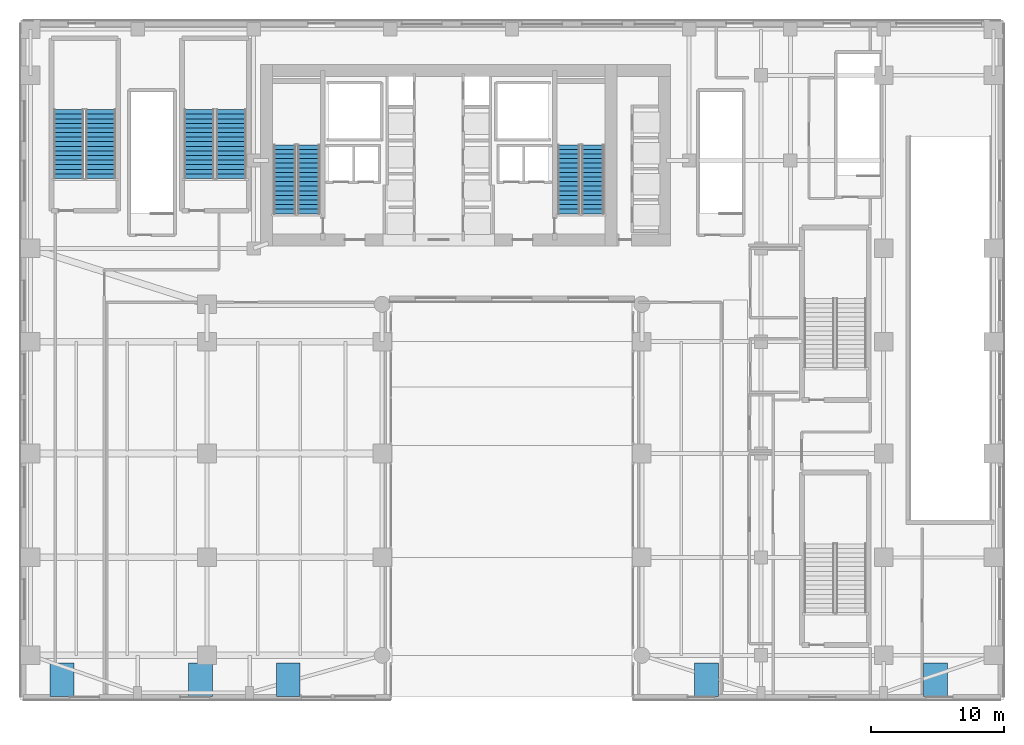
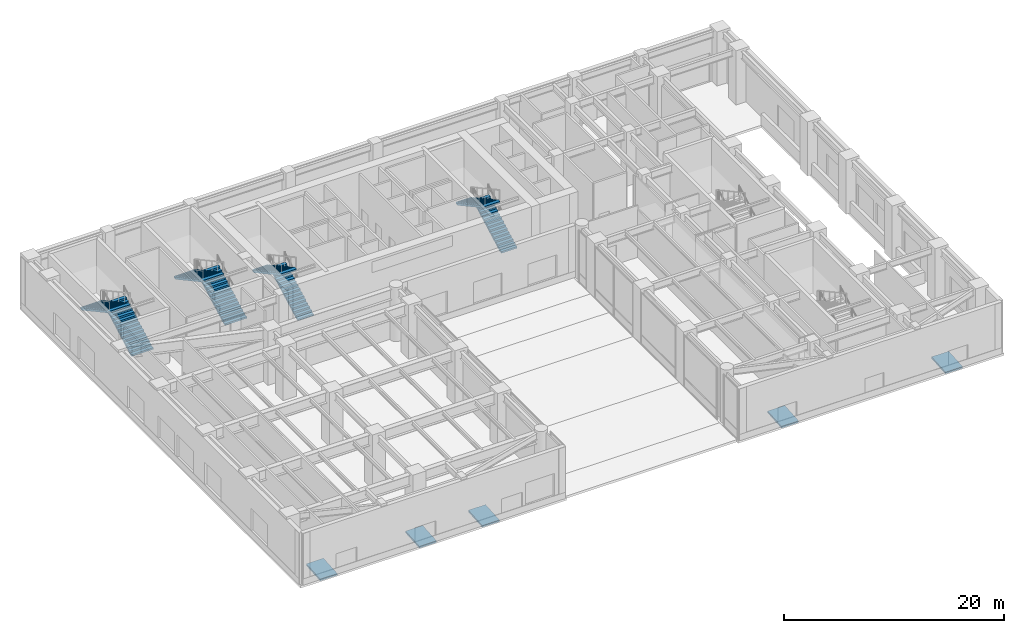
# One storey, part 18 of 28: 8 stair flights, 5 ramp flights, 9 elements without a shape of their own.
"""IFC4 building model written with IfcOpenShell, lengths in metres."""

from ifc_helpers import new_model, si_unit, direction, frame, origin, place, context, subcontext, project, spatial, polyline, outline, extrude, faceted_brep, material, layer, layer_set, type_object, element, aggregate, save


model = new_model("IFC4")

# Units and contexts
model_context = context("Model", 3, precision=1e-05, world=origin(), true_north=direction((0.0, 1.0)))
body_context = subcontext(model_context, "Body", "Model", "MODEL_VIEW")
ifc_project = project(units=[si_unit("LENGTHUNIT", "METRE"), si_unit("AREAUNIT", "SQUARE_METRE"), si_unit("VOLUMEUNIT", "CUBIC_METRE"), si_unit("PLANEANGLEUNIT", "RADIAN"), si_unit("MASSUNIT", "GRAM", prefix="KILO")], contexts=[model_context])

# Site, building, storey
site_placement = place(None, origin())
site = spatial("IfcSite", under=ifc_project, at=site_placement, CompositionType="ELEMENT")
building_placement = place(site_placement, origin())
building = spatial("IfcBuilding", under=site, at=building_placement, Name="Tolvann Quenvar Hotel", CompositionType="ELEMENT")
storey_placement = place(building_placement, origin())
storey = spatial("IfcBuildingStorey", under=building, at=storey_placement, Name="L00", CompositionType="ELEMENT", Elevation=0.0)

# Stair, stair flights
ifc_material = material(Name="Concrete N40 (40 MPa)", Category="concrete")
stair_type = type_object("IfcStairType", Name="STAIR", PredefinedType="HALF_TURN_STAIR", material=ifc_material)
stair_1_placement = place(storey_placement, origin())
stair_1 = element("IfcStair", 1, at=stair_1_placement, inside=storey, type_object=stair_type, Name="L00 ST-C1", PredefinedType="HALF_TURN_STAIR")
stair_flight_type = type_object("IfcStairFlightType", Name="STAIR_FLIGHT", PredefinedType="STRAIGHT", material=ifc_material)
stair_flight_1_placement = place(storey_placement, frame((13.22509765625, 34.0, 0.0), z_axis=(0.0, 0.0, 1.0), x_axis=(0.0, 1.0, 0.0)))
stair_flight_1 = element("IfcStairFlight", 2, at=stair_flight_1_placement, type_object=stair_flight_type, Name="ST-C1 flight 1", NumberOfRisers=16, NumberOfTreads=15, PredefinedType="STRAIGHT", RiserHeight=0.1875, TreadLength=0.345, context=body_context, shape_type="SweptSolid", body=[
    extrude(outline(polyline([(0.0, 0.0), (0.0, 0.1875), (0.344970703125, 0.1875), (0.344970703125, 0.375), (0.68994140625, 0.375), (0.68994140625, 0.5625), (1.034912109375, 0.5625), (1.034912109375, 0.75), (1.3798828125, 0.75), (1.3798828125, 0.9375), (1.72509765625, 0.9375), (1.72509765625, 1.125), (2.070068359375, 1.125), (2.070068359375, 1.3125), (2.4150390625, 1.3125), (2.4150390625, 1.5), (2.760009765625, 1.5), (2.760009765625, 1.6875), (3.10498046875, 1.6875), (3.10498046875, 1.875), (3.449951171875, 1.875), (3.449951171875, 2.0625), (3.794921875, 2.0625), (3.794921875, 2.25), (4.139892578125, 2.25), (4.139892578125, 2.4375), (4.485107421875, 2.4375), (4.485107421875, 2.625), (4.830078125, 2.625), (4.830078125, 2.8125), (5.175048828125, 2.8125), (5.175048828125, 3.0), (5.175048828125, 2.641845703125), (0.31396484375, 0.0), (0.0, 0.0)])), frame((0.0, 0.824951171875, 0.0), z_axis=(0.0, -1.0, 0.0), x_axis=(1.0, 0.0, 0.0)), (0.0, 0.0, 1.0), 1.64990234375),
])
stair_flight_2_placement = place(storey_placement, frame((11.425048828125, 39.175048828125, 3.0), z_axis=(0.0, 0.0, 1.0), x_axis=(0.0, -1.0, 0.0)))
stair_flight_2 = element("IfcStairFlight", 3, at=stair_flight_2_placement, type_object=stair_flight_type, Name="ST-C1 flight 2", NumberOfRisers=16, NumberOfTreads=15, PredefinedType="STRAIGHT", RiserHeight=0.1875, TreadLength=0.345, context=body_context, shape_type="SweptSolid", body=[
    extrude(outline(polyline([(0.0, 0.0), (0.0, 0.1875), (0.344970703125, 0.1875), (0.344970703125, 0.375), (0.68994140625, 0.375), (0.68994140625, 0.5625), (1.034912109375, 0.5625), (1.034912109375, 0.75), (1.3798828125, 0.75), (1.3798828125, 0.9375), (1.72509765625, 0.9375), (1.72509765625, 1.125), (2.070068359375, 1.125), (2.070068359375, 1.3125), (2.4150390625, 1.3125), (2.4150390625, 1.5), (2.760009765625, 1.5), (2.760009765625, 1.6875), (3.10498046875, 1.6875), (3.10498046875, 1.875), (3.449951171875, 1.875), (3.449951171875, 2.0625), (3.794921875, 2.0625), (3.794921875, 2.25), (4.139892578125, 2.25), (4.139892578125, 2.4375), (4.485107421875, 2.4375), (4.485107421875, 2.625), (4.830078125, 2.625), (4.830078125, 2.8125), (5.175048828125, 2.8125), (5.175048828125, 3.0), (5.175048828125, 2.641845703125), (0.31396484375, 0.0), (0.0, 0.0)])), frame((0.0, 0.824951171875, 0.0), z_axis=(0.0, -1.0, 0.0), x_axis=(1.0, 0.0, 0.0)), (0.0, 0.0, 1.0), 1.64990234375),
])
aggregate(stair_1, [stair_flight_1, stair_flight_2])

stair_2_placement = place(storey_placement, origin())
stair_2 = element("IfcStair", 4, at=stair_2_placement, inside=storey, type_object=stair_type, Name="L00 ST-C2", PredefinedType="HALF_TURN_STAIR")
stair_flight_3_placement = place(storey_placement, frame((34.574951171875, 34.0, 0.0), z_axis=(0.0, 0.0, 1.0), x_axis=(0.0, 1.0, 0.0)))
stair_flight_3 = element("IfcStairFlight", 5, at=stair_flight_3_placement, type_object=stair_flight_type, Name="ST-C2 flight 1", NumberOfRisers=16, NumberOfTreads=15, PredefinedType="STRAIGHT", RiserHeight=0.1875, TreadLength=0.345, context=body_context, shape_type="SweptSolid", body=[
    extrude(outline(polyline([(0.0, 0.0), (0.0, 0.1875), (0.344970703125, 0.1875), (0.344970703125, 0.375), (0.68994140625, 0.375), (0.68994140625, 0.5625), (1.034912109375, 0.5625), (1.034912109375, 0.75), (1.3798828125, 0.75), (1.3798828125, 0.9375), (1.72509765625, 0.9375), (1.72509765625, 1.125), (2.070068359375, 1.125), (2.070068359375, 1.3125), (2.4150390625, 1.3125), (2.4150390625, 1.5), (2.760009765625, 1.5), (2.760009765625, 1.6875), (3.10498046875, 1.6875), (3.10498046875, 1.875), (3.449951171875, 1.875), (3.449951171875, 2.0625), (3.794921875, 2.0625), (3.794921875, 2.25), (4.139892578125, 2.25), (4.139892578125, 2.4375), (4.485107421875, 2.4375), (4.485107421875, 2.625), (4.830078125, 2.625), (4.830078125, 2.8125), (5.175048828125, 2.8125), (5.175048828125, 3.0), (5.175048828125, 2.641845703125), (0.31396484375, 0.0), (0.0, 0.0)])), frame((0.0, 0.824951171875, 0.0), z_axis=(0.0, -1.0, 0.0), x_axis=(1.0, 0.0, 0.0)), (0.0, 0.0, 1.0), 1.64990234375),
])
stair_flight_4_placement = place(storey_placement, frame((32.77490234375, 39.175048828125, 3.0), z_axis=(0.0, 0.0, 1.0), x_axis=(0.0, -1.0, 0.0)))
stair_flight_4 = element("IfcStairFlight", 6, at=stair_flight_4_placement, type_object=stair_flight_type, Name="ST-C2 flight 2", NumberOfRisers=16, NumberOfTreads=15, PredefinedType="STRAIGHT", RiserHeight=0.1875, TreadLength=0.345, context=body_context, shape_type="SweptSolid", body=[
    extrude(outline(polyline([(0.0, 0.0), (0.0, 0.1875), (0.344970703125, 0.1875), (0.344970703125, 0.375), (0.68994140625, 0.375), (0.68994140625, 0.5625), (1.034912109375, 0.5625), (1.034912109375, 0.75), (1.3798828125, 0.75), (1.3798828125, 0.9375), (1.72509765625, 0.9375), (1.72509765625, 1.125), (2.070068359375, 1.125), (2.070068359375, 1.3125), (2.4150390625, 1.3125), (2.4150390625, 1.5), (2.760009765625, 1.5), (2.760009765625, 1.6875), (3.10498046875, 1.6875), (3.10498046875, 1.875), (3.449951171875, 1.875), (3.449951171875, 2.0625), (3.794921875, 2.0625), (3.794921875, 2.25), (4.139892578125, 2.25), (4.139892578125, 2.4375), (4.485107421875, 2.4375), (4.485107421875, 2.625), (4.830078125, 2.625), (4.830078125, 2.8125), (5.175048828125, 2.8125), (5.175048828125, 3.0), (5.175048828125, 2.641845703125), (0.31396484375, 0.0), (0.0, 0.0)])), frame((0.0, 0.824951171875, 0.0), z_axis=(0.0, -1.0, 0.0), x_axis=(1.0, 0.0, 0.0)), (0.0, 0.0, 1.0), 1.64990234375),
])
aggregate(stair_2, [stair_flight_3, stair_flight_4])

stair_3_placement = place(storey_placement, origin())
stair_3 = element("IfcStair", 7, at=stair_3_placement, inside=storey, type_object=stair_type, Name="L00 ST-P1", PredefinedType="HALF_TURN_STAIR")
stair_flight_5_placement = place(storey_placement, frame((-2.375, 36.64990234375, 0.0), z_axis=(0.0, 0.0, 1.0), x_axis=(0.0, 1.0, 0.0)))
stair_flight_5 = element("IfcStairFlight", 8, at=stair_flight_5_placement, type_object=stair_flight_type, Name="ST-P1 flight 1", NumberOfRisers=16, NumberOfTreads=15, PredefinedType="STRAIGHT", RiserHeight=0.1875, TreadLength=0.345, context=body_context, shape_type="SweptSolid", body=[
    extrude(outline(polyline([(0.0, 0.0), (0.0, 0.1875), (0.344970703125, 0.1875), (0.344970703125, 0.375), (0.68994140625, 0.375), (0.68994140625, 0.5625), (1.034912109375, 0.5625), (1.034912109375, 0.75), (1.3798828125, 0.75), (1.3798828125, 0.9375), (1.72509765625, 0.9375), (1.72509765625, 1.125), (2.070068359375, 1.125), (2.070068359375, 1.3125), (2.4150390625, 1.3125), (2.4150390625, 1.5), (2.760009765625, 1.5), (2.760009765625, 1.6875), (3.10498046875, 1.6875), (3.10498046875, 1.875), (3.449951171875, 1.875), (3.449951171875, 2.0625), (3.794921875, 2.0625), (3.794921875, 2.25), (4.139892578125, 2.25), (4.139892578125, 2.4375), (4.485107421875, 2.4375), (4.485107421875, 2.625), (4.830078125, 2.625), (4.830078125, 2.8125), (5.175048828125, 2.8125), (5.175048828125, 3.0), (5.175048828125, 2.641845703125), (0.31396484375, 0.0), (0.0, 0.0)])), frame((0.0, 1.125, 0.0), z_axis=(0.0, -1.0, 0.0), x_axis=(1.0, 0.0, 0.0)), (0.0, 0.0, 1.0), 2.25),
])
stair_flight_6_placement = place(storey_placement, frame((-4.77490234375, 41.824951171875, 3.0), z_axis=(0.0, 0.0, 1.0), x_axis=(0.0, -1.0, 0.0)))
stair_flight_6 = element("IfcStairFlight", 9, at=stair_flight_6_placement, type_object=stair_flight_type, Name="ST-P1 flight 2", NumberOfRisers=16, NumberOfTreads=15, PredefinedType="STRAIGHT", RiserHeight=0.1875, TreadLength=0.345, context=body_context, shape_type="SweptSolid", body=[
    extrude(outline(polyline([(0.0, 0.0), (0.0, 0.1875), (0.344970703125, 0.1875), (0.344970703125, 0.375), (0.68994140625, 0.375), (0.68994140625, 0.5625), (1.034912109375, 0.5625), (1.034912109375, 0.75), (1.3798828125, 0.75), (1.3798828125, 0.9375), (1.72509765625, 0.9375), (1.72509765625, 1.125), (2.070068359375, 1.125), (2.070068359375, 1.3125), (2.4150390625, 1.3125), (2.4150390625, 1.5), (2.760009765625, 1.5), (2.760009765625, 1.6875), (3.10498046875, 1.6875), (3.10498046875, 1.875), (3.449951171875, 1.875), (3.449951171875, 2.0625), (3.794921875, 2.0625), (3.794921875, 2.25), (4.139892578125, 2.25), (4.139892578125, 2.4375), (4.485107421875, 2.4375), (4.485107421875, 2.625), (4.830078125, 2.625), (4.830078125, 2.8125), (5.175048828125, 2.8125), (5.175048828125, 3.0), (5.175048828125, 2.641845703125), (0.31396484375, 0.0), (0.0, 0.0)])), frame((0.0, 1.125, 0.0), z_axis=(0.0, -1.0, 0.0), x_axis=(1.0, 0.0, 0.0)), (0.0, 0.0, 1.0), 2.25),
])
aggregate(stair_3, [stair_flight_5, stair_flight_6])

stair_4_placement = place(storey_placement, origin())
stair_4 = element("IfcStair", 10, at=stair_4_placement, inside=storey, type_object=stair_type, Name="L00 ST-P2", PredefinedType="HALF_TURN_STAIR")
stair_flight_7_placement = place(storey_placement, frame((7.425048828125, 36.64990234375, 0.0), z_axis=(0.0, 0.0, 1.0), x_axis=(0.0, 1.0, 0.0)))
stair_flight_7 = element("IfcStairFlight", 11, at=stair_flight_7_placement, type_object=stair_flight_type, Name="ST-P2 flight 1", NumberOfRisers=16, NumberOfTreads=15, PredefinedType="STRAIGHT", RiserHeight=0.1875, TreadLength=0.345, context=body_context, shape_type="SweptSolid", body=[
    extrude(outline(polyline([(0.0, 0.0), (0.0, 0.1875), (0.344970703125, 0.1875), (0.344970703125, 0.375), (0.68994140625, 0.375), (0.68994140625, 0.5625), (1.034912109375, 0.5625), (1.034912109375, 0.75), (1.3798828125, 0.75), (1.3798828125, 0.9375), (1.72509765625, 0.9375), (1.72509765625, 1.125), (2.070068359375, 1.125), (2.070068359375, 1.3125), (2.4150390625, 1.3125), (2.4150390625, 1.5), (2.760009765625, 1.5), (2.760009765625, 1.6875), (3.10498046875, 1.6875), (3.10498046875, 1.875), (3.449951171875, 1.875), (3.449951171875, 2.0625), (3.794921875, 2.0625), (3.794921875, 2.25), (4.139892578125, 2.25), (4.139892578125, 2.4375), (4.485107421875, 2.4375), (4.485107421875, 2.625), (4.830078125, 2.625), (4.830078125, 2.8125), (5.175048828125, 2.8125), (5.175048828125, 3.0), (5.175048828125, 2.641845703125), (0.31396484375, 0.0), (0.0, 0.0)])), frame((0.0, 1.125, 0.0), z_axis=(0.0, -1.0, 0.0), x_axis=(1.0, 0.0, 0.0)), (0.0, 0.0, 1.0), 2.25),
])
stair_flight_8_placement = place(storey_placement, frame((5.02490234375, 41.824951171875, 3.0), z_axis=(0.0, 0.0, 1.0), x_axis=(0.0, -1.0, 0.0)))
stair_flight_8 = element("IfcStairFlight", 12, at=stair_flight_8_placement, type_object=stair_flight_type, Name="ST-P2 flight 2", NumberOfRisers=16, NumberOfTreads=15, PredefinedType="STRAIGHT", RiserHeight=0.1875, TreadLength=0.345, context=body_context, shape_type="SweptSolid", body=[
    extrude(outline(polyline([(0.0, 0.0), (0.0, 0.1875), (0.344970703125, 0.1875), (0.344970703125, 0.375), (0.68994140625, 0.375), (0.68994140625, 0.5625), (1.034912109375, 0.5625), (1.034912109375, 0.75), (1.3798828125, 0.75), (1.3798828125, 0.9375), (1.72509765625, 0.9375), (1.72509765625, 1.125), (2.070068359375, 1.125), (2.070068359375, 1.3125), (2.4150390625, 1.3125), (2.4150390625, 1.5), (2.760009765625, 1.5), (2.760009765625, 1.6875), (3.10498046875, 1.6875), (3.10498046875, 1.875), (3.449951171875, 1.875), (3.449951171875, 2.0625), (3.794921875, 2.0625), (3.794921875, 2.25), (4.139892578125, 2.25), (4.139892578125, 2.4375), (4.485107421875, 2.4375), (4.485107421875, 2.625), (4.830078125, 2.625), (4.830078125, 2.8125), (5.175048828125, 2.8125), (5.175048828125, 3.0), (5.175048828125, 2.641845703125), (0.31396484375, 0.0), (0.0, 0.0)])), frame((0.0, 1.125, 0.0), z_axis=(0.0, -1.0, 0.0), x_axis=(1.0, 0.0, 0.0)), (0.0, 0.0, 1.0), 2.25),
])
aggregate(stair_4, [stair_flight_7, stair_flight_8])

# Ramp, ramp flight
ramp_type = type_object("IfcRampType", Name="RAMP_DDA_14", PredefinedType="STRAIGHT_RUN_RAMP", material=ifc_material)
ramp_1_placement = place(storey_placement, origin())
ramp_1 = element("IfcRamp", 13, at=ramp_1_placement, inside=storey, type_object=ramp_type, Name="Accessible Entrance Ramp RMP-A1 (1)", PredefinedType="STRAIGHT_RUN_RAMP")
ifc_layer = layer(ifc_material, 0.199951171875)
ifc_layer_set = layer_set([ifc_layer], Name="Concrete N40 (40 MPa)")
ramp_flight_type = type_object("IfcRampFlightType", Name="RAMP_FLT_DDA_200", PredefinedType="STRAIGHT", material=ifc_layer_set)
ramp_flight_1_placement = place(storey_placement, origin())
ramp_flight_1 = element("IfcRampFlight", 14, at=ramp_flight_1_placement, type_object=ramp_flight_type, Name="Accessible Entrance Ramp Flight ARF-1 (1)", PredefinedType="STRAIGHT", context=body_context, shape_type="Brep", body=[
    faceted_brep([(-6.199951171875, -2.25, -0.179931640625), (-4.39990234375, -2.25, -0.179931640625), (-4.39990234375, 0.27001953125, 0.0), (-6.199951171875, 0.27001953125, 0.0), (-6.199951171875, 0.27001953125, -0.200439453125), (-4.39990234375, 0.27001953125, -0.200439453125), (-4.39990234375, -2.25, -0.38037109375), (-6.199951171875, -2.25, -0.38037109375)], [[[0, 1, 2, 3]], [[4, 5, 6, 7]], [[7, 6, 1, 0]], [[6, 5, 2, 1]], [[5, 4, 3, 2]], [[4, 7, 0, 3]]]),
])
aggregate(ramp_1, [ramp_flight_1])

ramp_2_placement = place(storey_placement, origin())
ramp_2 = element("IfcRamp", 15, at=ramp_2_placement, inside=storey, type_object=ramp_type, Name="Accessible Entrance Ramp RMP-A1 (2)", PredefinedType="STRAIGHT_RUN_RAMP")
ramp_flight_2_placement = place(storey_placement, origin())
ramp_flight_2 = element("IfcRampFlight", 16, at=ramp_flight_2_placement, type_object=ramp_flight_type, Name="Accessible Entrance Ramp Flight ARF-1 (2)", PredefinedType="STRAIGHT", context=body_context, shape_type="Brep", body=[
    faceted_brep([(59.39990234375, -2.25, -0.179931640625), (61.199951171875, -2.25, -0.179931640625), (61.199951171875, 0.27001953125, 0.0), (59.39990234375, 0.27001953125, 0.0), (59.39990234375, 0.27001953125, -0.200439453125), (61.199951171875, 0.27001953125, -0.200439453125), (61.199951171875, -2.25, -0.38037109375), (59.39990234375, -2.25, -0.38037109375)], [[[0, 1, 2, 3]], [[4, 5, 6, 7]], [[7, 6, 1, 0]], [[6, 5, 2, 1]], [[5, 4, 3, 2]], [[4, 7, 0, 3]]]),
])
aggregate(ramp_2, [ramp_flight_2])

ramp_3_placement = place(storey_placement, origin())
ramp_3 = element("IfcRamp", 17, at=ramp_3_placement, inside=storey, type_object=ramp_type, Name="Accessible Entrance Ramp RMP-A1 (3)", PredefinedType="STRAIGHT_RUN_RAMP")
ramp_flight_3_placement = place(storey_placement, origin())
ramp_flight_3 = element("IfcRampFlight", 18, at=ramp_flight_3_placement, type_object=ramp_flight_type, Name="Accessible Entrance Ramp Flight ARF-1 (3)", PredefinedType="STRAIGHT", context=body_context, shape_type="Brep", body=[
    faceted_brep([(10.800048828125, -2.25, -0.179931640625), (12.60009765625, -2.25, -0.179931640625), (12.60009765625, 0.27001953125, 0.0), (10.800048828125, 0.27001953125, 0.0), (10.800048828125, 0.27001953125, -0.200439453125), (12.60009765625, 0.27001953125, -0.200439453125), (12.60009765625, -2.25, -0.38037109375), (10.800048828125, -2.25, -0.38037109375)], [[[0, 1, 2, 3]], [[4, 5, 6, 7]], [[7, 6, 1, 0]], [[6, 5, 2, 1]], [[5, 4, 3, 2]], [[4, 7, 0, 3]]]),
])
aggregate(ramp_3, [ramp_flight_3])

ramp_4_placement = place(storey_placement, origin())
ramp_4 = element("IfcRamp", 19, at=ramp_4_placement, inside=storey, type_object=ramp_type, Name="Accessible Entrance Ramp RMP-A1 (4)", PredefinedType="STRAIGHT_RUN_RAMP")
ramp_flight_4_placement = place(storey_placement, origin())
ramp_flight_4 = element("IfcRampFlight", 20, at=ramp_flight_4_placement, type_object=ramp_flight_type, Name="Accessible Entrance Ramp Flight ARF-1 (4)", PredefinedType="STRAIGHT", context=body_context, shape_type="Brep", body=[
    faceted_brep([(4.199951171875, -2.25, -0.179931640625), (6.0, -2.25, -0.179931640625), (6.0, 0.27001953125, 0.0), (4.199951171875, 0.27001953125, 0.0), (4.199951171875, 0.27001953125, -0.200439453125), (6.0, 0.27001953125, -0.200439453125), (6.0, -2.25, -0.38037109375), (4.199951171875, -2.25, -0.38037109375)], [[[0, 1, 2, 3]], [[4, 5, 6, 7]], [[7, 6, 1, 0]], [[6, 5, 2, 1]], [[5, 4, 3, 2]], [[4, 7, 0, 3]]]),
])
aggregate(ramp_4, [ramp_flight_4])

ramp_5_placement = place(storey_placement, origin())
ramp_5 = element("IfcRamp", 21, at=ramp_5_placement, inside=storey, type_object=ramp_type, Name="Accessible Entrance Ramp RMP-A1 (5)", PredefinedType="STRAIGHT_RUN_RAMP")
ramp_flight_5_placement = place(storey_placement, origin())
ramp_flight_5 = element("IfcRampFlight", 22, at=ramp_flight_5_placement, type_object=ramp_flight_type, Name="Accessible Entrance Ramp Flight ARF-1 (5)", PredefinedType="STRAIGHT", context=body_context, shape_type="Brep", body=[
    faceted_brep([(42.199951171875, -2.25, -0.179931640625), (44.0, -2.25, -0.179931640625), (44.0, 0.27001953125, 0.0), (42.199951171875, 0.27001953125, 0.0), (42.199951171875, 0.27001953125, -0.200439453125), (44.0, 0.27001953125, -0.200439453125), (44.0, -2.25, -0.38037109375), (42.199951171875, -2.25, -0.38037109375)], [[[0, 1, 2, 3]], [[4, 5, 6, 7]], [[7, 6, 1, 0]], [[6, 5, 2, 1]], [[5, 4, 3, 2]], [[4, 7, 0, 3]]]),
])
aggregate(ramp_5, [ramp_flight_5])

save(model, "model.ifc")
